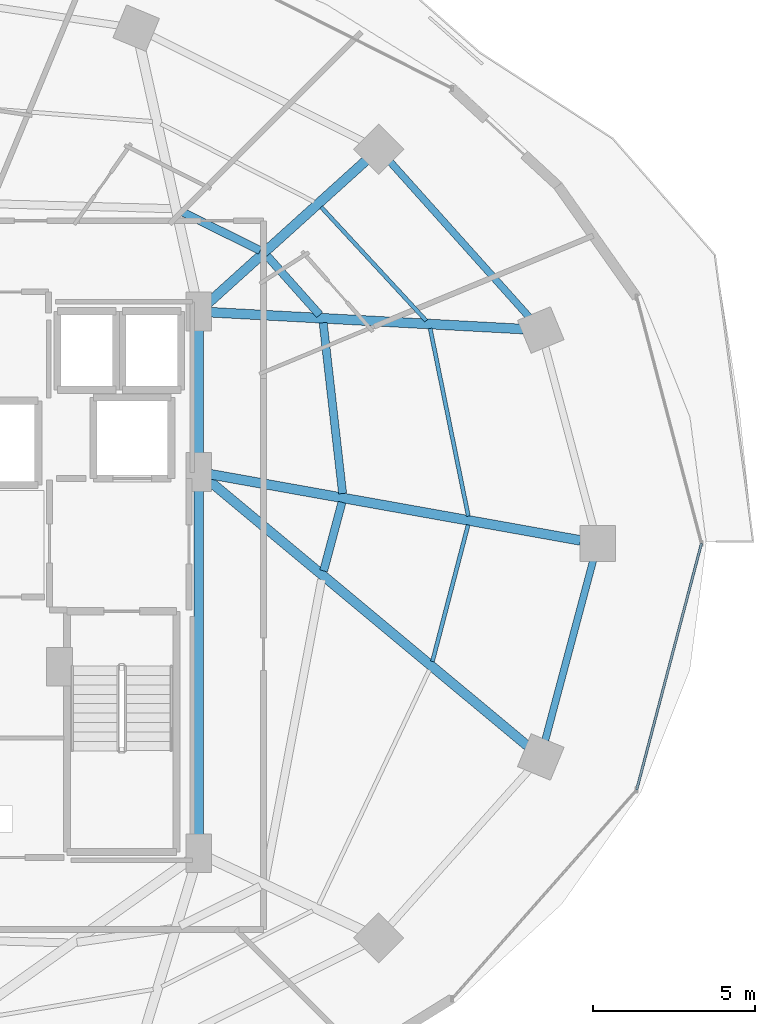
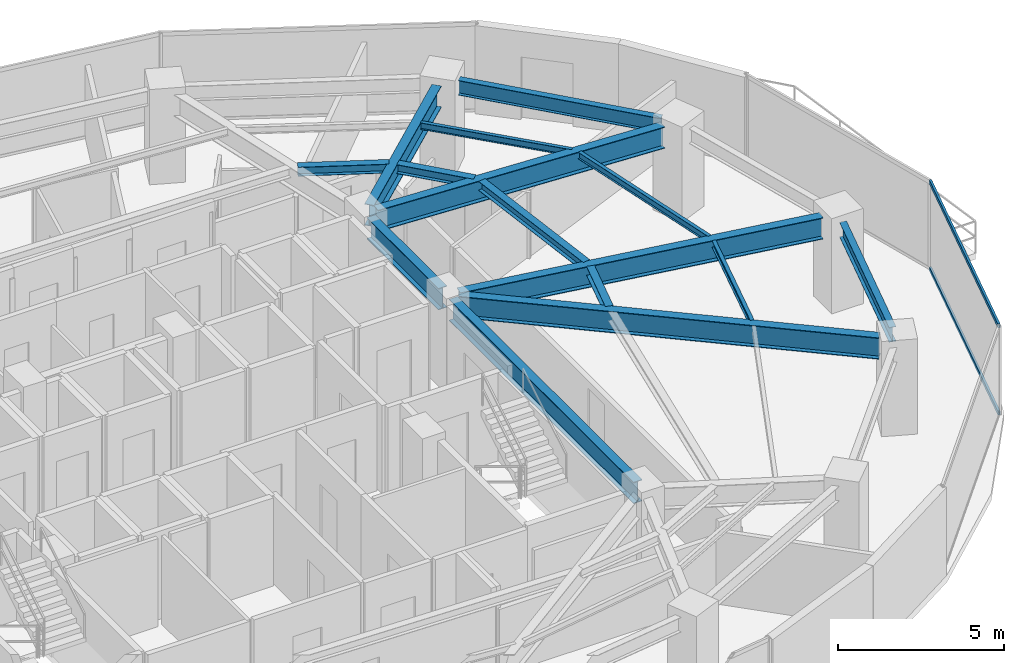
# One storey, part 15 of 31: 15 beams, 2 members, 1 element without a shape of its own.
"""IFC4 building model written with IfcOpenShell, lengths in metres."""

from ifc_helpers import new_model, si_unit, direction, frame, origin, origin_2d, place, context, subcontext, project, spatial, hollow_rectangle, i_section, extrude, material, material_profile, profile_set, type_object, element, aggregate, save


model = new_model("IFC4")

# Units and contexts
model_context = context("Model", 3, precision=1e-05, world=origin(), true_north=direction((0.0, 1.0)))
body_context = subcontext(model_context, "Body", "Model", "MODEL_VIEW")
ifc_project = project(units=[si_unit("LENGTHUNIT", "METRE"), si_unit("AREAUNIT", "SQUARE_METRE"), si_unit("VOLUMEUNIT", "CUBIC_METRE"), si_unit("PLANEANGLEUNIT", "RADIAN"), si_unit("MASSUNIT", "GRAM", prefix="KILO")], contexts=[model_context])

# Site, building, storey
site_placement = place(None, origin())
site = spatial("IfcSite", under=ifc_project, at=site_placement, CompositionType="ELEMENT")
building_placement = place(site_placement, origin())
building = spatial("IfcBuilding", under=site, at=building_placement, Name="Vorneva Point Tower", CompositionType="ELEMENT")
storey_placement = place(building_placement, frame((0.0, 0.0, 103.300048828125)))
storey = spatial("IfcBuildingStorey", under=building, at=storey_placement, Name="L27", CompositionType="ELEMENT", Elevation=103.300048828125)

# Beams
ifc_material_1 = material(Name="Steel S355", Category="steel")
ifc_material_profile_1 = material_profile(ifc_material_1, i_section(OverallWidth=0.300048828125, OverallDepth=0.7880859375, WebThickness=0.014404296875, FlangeThickness=0.02197265625, at=origin_2d()), Name="80Sh1")
ifc_profile_set_1 = profile_set([ifc_material_profile_1], Name="Steel S355")
beam_type_1 = type_object("IfcBeamType", Name="BM-GRD-80Sh1", PredefinedType="USERDEFINED", material=ifc_profile_set_1)
beam_1_placement = place(storey_placement, frame((60.5205078125, 26.0947265625, 2.845947265625), z_axis=(-0.984378310682, 0.176066298476, 0.0), x_axis=(-0.176066298476, -0.984378310682, 0.0)))
element("IfcBeam", 1, at=beam_1_placement, inside=storey, type_object=beam_type_1, Name="L27 Radial Primary Girder 01", ObjectType="GIRDER", PredefinedType="USERDEFINED", context=body_context, shape_type="SweptSolid", body=[
    extrude(i_section(OverallWidth=0.300048828125, OverallDepth=0.7880859375, WebThickness=0.014404296875, FlangeThickness=0.02197265625, at=origin_2d()), origin(), (0.0, 0.0, 1.0), 11.6171875),
])
beam_2_placement = place(storey_placement, frame((58.75830078125, 32.611083984375, 2.845947265625), z_axis=(-0.998554075878, 0.053756465161, 0.0), x_axis=(-0.053756465161, -0.998554075878, 0.0)))
element("IfcBeam", 2, at=beam_2_placement, inside=storey, type_object=beam_type_1, Name="L27 Radial Primary Girder 02", ObjectType="GIRDER", PredefinedType="USERDEFINED", context=body_context, shape_type="SweptSolid", body=[
    extrude(i_section(OverallWidth=0.300048828125, OverallDepth=0.7880859375, WebThickness=0.014404296875, FlangeThickness=0.02197265625, at=origin_2d()), origin(), (0.0, 0.0, 1.0), 9.6826171875),
])
beam_3_placement = place(storey_placement, frame((53.899658203125, 37.801513671875, 2.845947265625), z_axis=(-0.742097300344, -0.670292172729, 0.0), x_axis=(0.670292172729, -0.742097300344, 0.0)))
element("IfcBeam", 3, at=beam_3_placement, inside=storey, type_object=beam_type_1, Name="L27 Radial Primary Girder 03", ObjectType="GIRDER", PredefinedType="USERDEFINED", context=body_context, shape_type="SweptSolid", body=[
    extrude(i_section(OverallWidth=0.300048828125, OverallDepth=0.7880859375, WebThickness=0.014404296875, FlangeThickness=0.02197265625, at=origin_2d()), origin(), (0.0, 0.0, 1.0), 6.599365234375),
])
beam_4_placement = place(storey_placement, frame((58.882080078125, 19.76220703125, 2.845947265625), z_axis=(-0.768431550428, 0.639931990376, 0.0), x_axis=(-0.639931990376, -0.768431550428, 0.0)))
element("IfcBeam", 4, at=beam_4_placement, inside=storey, type_object=beam_type_1, Name="L27 Radial Primary Girder 16", ObjectType="GIRDER", PredefinedType="USERDEFINED", context=body_context, shape_type="SweptSolid", body=[
    extrude(i_section(OverallWidth=0.300048828125, OverallDepth=0.7880859375, WebThickness=0.014404296875, FlangeThickness=0.02197265625, at=origin_2d()), origin(), (0.0, 0.0, 1.0), 12.845458984375),
])
beam_5_placement = place(storey_placement, frame((48.75, 16.77001953125, 2.845947265625), z_axis=(0.0, 1.0, 0.0), x_axis=(-1.0, 0.0, 0.0)))
element("IfcBeam", 5, at=beam_5_placement, inside=storey, type_object=beam_type_1, Name="L27 Core Tie Girder CT3", ObjectType="GIRDER", PredefinedType="USERDEFINED", context=body_context, shape_type="SweptSolid", body=[
    extrude(i_section(OverallWidth=0.300048828125, OverallDepth=0.7880859375, WebThickness=0.014404296875, FlangeThickness=0.02197265625, at=origin_2d()), origin(), (0.0, 0.0, 1.0), 11.10986328125),
])
beam_6_placement = place(storey_placement, frame((48.75, 28.52001953125, 2.845947265625), z_axis=(0.0, 1.0, 0.0), x_axis=(-1.0, 0.0, 0.0)))
element("IfcBeam", 6, at=beam_6_placement, inside=storey, type_object=beam_type_1, Name="L27 Core Tie Girder CT4", ObjectType="GIRDER", PredefinedType="USERDEFINED", context=body_context, shape_type="SweptSolid", body=[
    extrude(i_section(OverallWidth=0.300048828125, OverallDepth=0.7880859375, WebThickness=0.014404296875, FlangeThickness=0.02197265625, at=origin_2d()), origin(), (0.0, 0.0, 1.0), 4.31005859375),
])
ifc_material_profile_2 = material_profile(ifc_material_1, i_section(OverallWidth=0.1240234375, OverallDepth=0.248046875, WebThickness=0.0048828125, FlangeThickness=0.008056640625, at=origin_2d()), Name="25B1")
ifc_profile_set_2 = profile_set([ifc_material_profile_2], Name="Steel S355")
beam_type_2 = type_object("IfcBeamType", Name="BM-JST-25B1", PredefinedType="JOIST", material=ifc_profile_set_2)
beam_7_placement = place(storey_placement, frame((57.062255859375, 26.843505859375, 3.115966796875), z_axis=(-0.199294352555, 0.979939672143, 0.0), x_axis=(-0.979939672143, -0.199294352555, 0.0)))
element("IfcBeam", 7, at=beam_7_placement, inside=storey, type_object=beam_type_2, Name="L27 Secondary Floor Beam 1.01", PredefinedType="JOIST", context=body_context, shape_type="SweptSolid", body=[
    extrude(i_section(OverallWidth=0.1240234375, OverallDepth=0.248046875, WebThickness=0.0048828125, FlangeThickness=0.008056640625, at=origin_2d()), origin(), (0.0, 0.0, 1.0), 5.906982421875),
])
beam_8_placement = place(storey_placement, frame((55.763916015625, 32.86865234375, 3.115966796875), z_axis=(-0.678811075328, 0.734312960537, 0.0), x_axis=(-0.734312960537, -0.678811075328, 0.0)))
element("IfcBeam", 8, at=beam_8_placement, inside=storey, type_object=beam_type_2, Name="L27 Secondary Floor Beam 1.02", PredefinedType="JOIST", context=body_context, shape_type="SweptSolid", body=[
    extrude(i_section(OverallWidth=0.1240234375, OverallDepth=0.248046875, WebThickness=0.0048828125, FlangeThickness=0.008056640625, at=origin_2d()), origin(), (0.0, 0.0, 1.0), 4.772705078125),
])
beam_9_placement = place(storey_placement, frame((55.95556640625, 22.36181640625, 3.115966796875), z_axis=(0.252497222917, 0.967597619065, 0.0), x_axis=(-0.967597619065, 0.252497222917, 0.0)))
element("IfcBeam", 9, at=beam_9_placement, inside=storey, type_object=beam_type_2, Name="L27 Secondary Floor Beam 1.16", PredefinedType="JOIST", context=body_context, shape_type="SweptSolid", body=[
    extrude(i_section(OverallWidth=0.1240234375, OverallDepth=0.248046875, WebThickness=0.0048828125, FlangeThickness=0.008056640625, at=origin_2d()), origin(), (0.0, 0.0, 1.0), 4.35400390625),
])
ifc_material_profile_3 = material_profile(ifc_material_1, i_section(OverallWidth=0.2490234375, OverallDepth=0.333984375, WebThickness=0.008056640625, FlangeThickness=0.010986328125, at=origin_2d()), Name="35Sh1")
ifc_profile_set_3 = profile_set([ifc_material_profile_3], Name="Steel S355")
beam_type_3 = type_object("IfcBeamType", Name="BM-SEC-35Sh1", PredefinedType="BEAM", material=ifc_profile_set_3)
beam_10_placement = place(storey_placement, frame((53.185791015625, 27.541015625, 3.072998046875), z_axis=(-0.113176336235, 0.993574917616, 0.0), x_axis=(-0.993574917616, -0.113176336235, 0.0)))
element("IfcBeam", 10, at=beam_10_placement, inside=storey, type_object=beam_type_3, Name="L27 Secondary Floor Beam 2.01", PredefinedType="BEAM", context=body_context, shape_type="SweptSolid", body=[
    extrude(i_section(OverallWidth=0.2490234375, OverallDepth=0.333984375, WebThickness=0.008056640625, FlangeThickness=0.010986328125, at=origin_2d()), origin(), (0.0, 0.0, 1.0), 5.300048828125),
])
beam_11_placement = place(storey_placement, frame((52.478515625, 33.04736328125, 3.072998046875), z_axis=(-0.665165430595, 0.746696022449, 0.0), x_axis=(-0.746696022449, -0.665165430595, 0.0)))
element("IfcBeam", 11, at=beam_11_placement, inside=storey, type_object=beam_type_3, Name="L27 Secondary Floor Beam 2.02", PredefinedType="BEAM", context=body_context, shape_type="SweptSolid", body=[
    extrude(i_section(OverallWidth=0.2490234375, OverallDepth=0.333984375, WebThickness=0.008056640625, FlangeThickness=0.010986328125, at=origin_2d()), origin(), (0.0, 0.0, 1.0), 2.4375),
])
beam_12_placement = place(storey_placement, frame((50.641845703125, 35.031982421875, 3.072998046875), z_axis=(-0.895505315746, 0.445050816728, 0.0), x_axis=(-0.445050816728, -0.895505315746, 0.0)))
element("IfcBeam", 12, at=beam_12_placement, inside=storey, type_object=beam_type_3, Name="L27 Secondary Floor Beam 2.03", PredefinedType="BEAM", context=body_context, shape_type="SweptSolid", body=[
    extrude(i_section(OverallWidth=0.2490234375, OverallDepth=0.333984375, WebThickness=0.008056640625, FlangeThickness=0.010986328125, at=origin_2d()), origin(), (0.0, 0.0, 1.0), 2.756103515625),
])
beam_13_placement = place(storey_placement, frame((52.600341796875, 25.156494140625, 3.072998046875), z_axis=(0.258488854847, 0.966014240019, 0.0), x_axis=(-0.966014240019, 0.258488854847, 0.0)))
element("IfcBeam", 13, at=beam_13_placement, inside=storey, type_object=beam_type_3, Name="L27 Secondary Floor Beam 2.16", PredefinedType="BEAM", context=body_context, shape_type="SweptSolid", body=[
    extrude(i_section(OverallWidth=0.2490234375, OverallDepth=0.333984375, WebThickness=0.008056640625, FlangeThickness=0.010986328125, at=origin_2d()), origin(), (0.0, 0.0, 1.0), 2.1884765625),
])
ifc_material_profile_4 = material_profile(ifc_material_1, i_section(OverallWidth=0.219970703125, OverallDepth=0.54296875, WebThickness=0.009521484375, FlangeThickness=0.013427734375, at=origin_2d()), Name="55B1")
ifc_profile_set_4 = profile_set([ifc_material_profile_4], Name="Steel S355")
beam_type_4 = type_object("IfcBeamType", Name="BM-SPN-55B1", PredefinedType="SPANDREL", material=ifc_profile_set_4)
beam_14_placement = place(storey_placement, frame((58.9384765625, 32.980712890625, 2.968505859375), z_axis=(-0.667073815664, 0.744991627105, 0.0), x_axis=(-0.744991627105, -0.667073815664, 0.0)))
element("IfcBeam", 14, at=beam_14_placement, inside=storey, type_object=beam_type_4, Name="L27 Perimeter Spandrel Ring Beam 02", PredefinedType="SPANDREL", context=body_context, shape_type="SweptSolid", body=[
    extrude(i_section(OverallWidth=0.219970703125, OverallDepth=0.54296875, WebThickness=0.009521484375, FlangeThickness=0.013427734375, at=origin_2d()), origin(), (0.0, 0.0, 1.0), 6.420166015625),
])
beam_15_placement = place(storey_placement, frame((59.43310546875, 19.934814453125, 2.968505859375), z_axis=(0.257572674071, 0.966258928845, 0.0), x_axis=(-0.966258928845, 0.257572674071, 0.0)))
element("IfcBeam", 15, at=beam_15_placement, inside=storey, type_object=beam_type_4, Name="L27 Perimeter Spandrel Ring Beam 16", PredefinedType="SPANDREL", context=body_context, shape_type="SweptSolid", body=[
    extrude(i_section(OverallWidth=0.219970703125, OverallDepth=0.54296875, WebThickness=0.009521484375, FlangeThickness=0.013427734375, at=origin_2d()), origin(), (0.0, 0.0, 1.0), 5.7421875),
])

# Curtain wall, members
ifc_material_2 = material(Name="Pale anodised aluminium", Category="aluminium")
curtain_wall_type = type_object("IfcCurtainWallType", Name="CW-HTL-SYS", PredefinedType="NOTDEFINED", material=ifc_material_2)
curtain_wall_placement = place(storey_placement, origin())
curtain_wall = element("IfcCurtainWall", 16, at=curtain_wall_placement, inside=storey, type_object=curtain_wall_type, Name="L27 Unitised Curtain Wall CW-L27-R01", PredefinedType="NOTDEFINED")
ifc_material_profile_5 = material_profile(ifc_material_2, hollow_rectangle(XDim=0.074951171875, YDim=0.14990234375, WallThickness=0.00390625, at=origin_2d()), Name="AL-TRN 150x75x4")
ifc_profile_set_5 = profile_set([ifc_material_profile_5], Name="Pale anodised aluminium")
member_type = type_object("IfcMemberType", Name="CW-TRN-150", PredefinedType="USERDEFINED", material=ifc_profile_set_5)
member_1_placement = place(storey_placement, frame((62.251708984375, 18.40380859375, 0.02001953125), z_axis=(0.254409150465, 0.967096677773, 0.0), x_axis=(-0.967096677773, 0.254409150465, 0.0)))
member_1 = element("IfcMember", 17, at=member_1_placement, type_object=member_type, Name="CW-L27-R01 Transom 02.1", ObjectType="TRANSOM", PredefinedType="USERDEFINED", context=body_context, shape_type="SweptSolid", body=[
    extrude(hollow_rectangle(XDim=0.074951171875, YDim=0.14990234375, WallThickness=0.00390625, at=origin_2d()), origin(), (0.0, 0.0, 1.0), 7.854736328125),
])
member_2_placement = place(storey_placement, frame((62.251708984375, 18.40380859375, 3.219970703125), z_axis=(0.254409150465, 0.967096677773, 0.0), x_axis=(-0.967096677773, 0.254409150465, 0.0)))
member_2 = element("IfcMember", 18, at=member_2_placement, type_object=member_type, Name="CW-L27-R01 Transom 02.2", ObjectType="TRANSOM", PredefinedType="USERDEFINED", context=body_context, shape_type="SweptSolid", body=[
    extrude(hollow_rectangle(XDim=0.074951171875, YDim=0.14990234375, WallThickness=0.00390625, at=origin_2d()), origin(), (0.0, 0.0, 1.0), 7.854736328125),
])
aggregate(curtain_wall, [member_1, member_2])

save(model, "model.ifc")
